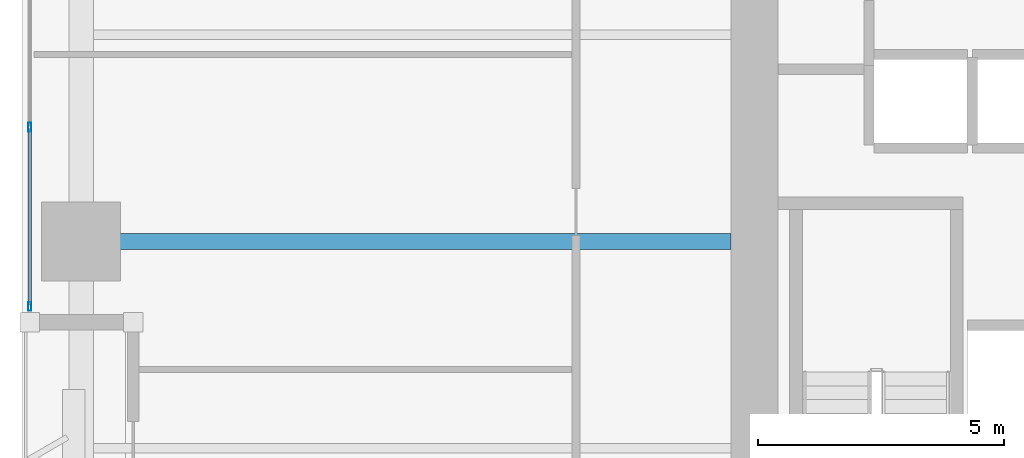
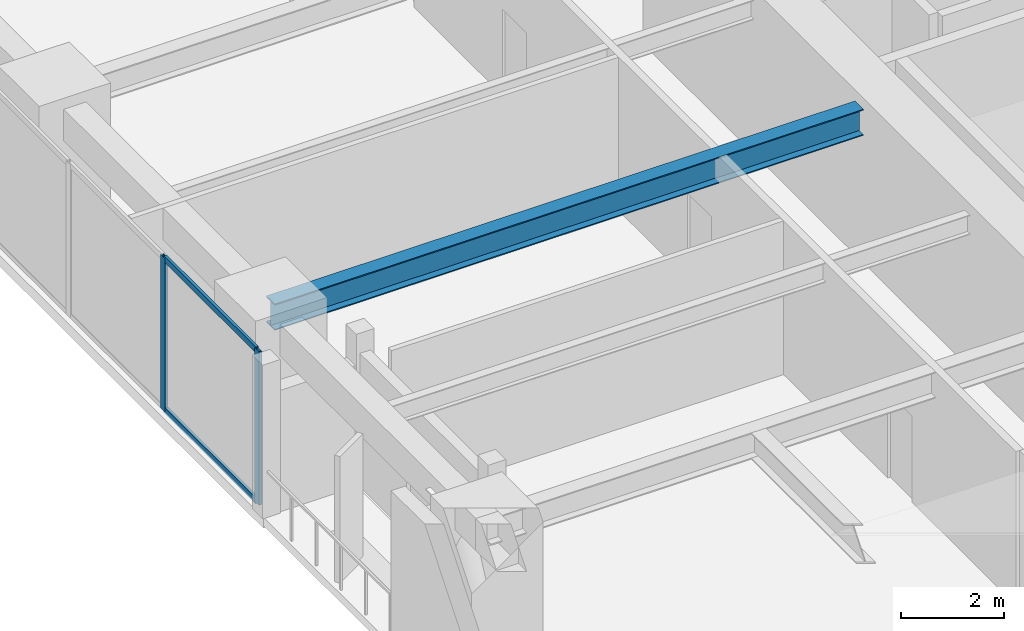
# One storey, part 2 of 24: 4 members, 1 beam, 1 element without a shape of its own.
"""IFC4 building model written with IfcOpenShell, lengths in metres."""

from ifc_helpers import new_model, si_unit, direction, frame, origin, origin_2d, place, context, subcontext, project, spatial, hollow_rectangle, i_section, extrude, material, layer, layer_set, material_profile, profile_set, type_object, element, aggregate, save


model = new_model("IFC4")

# Units and contexts
model_context = context("Model", 3, precision=1e-05, world=origin(), true_north=direction((0.0, 1.0)))
body_context = subcontext(model_context, "Body", "Model", "MODEL_VIEW")
ifc_project = project(units=[si_unit("LENGTHUNIT", "METRE"), si_unit("AREAUNIT", "SQUARE_METRE"), si_unit("VOLUMEUNIT", "CUBIC_METRE"), si_unit("PLANEANGLEUNIT", "RADIAN"), si_unit("MASSUNIT", "GRAM", prefix="KILO")], contexts=[model_context])

# Site, building, storey
site_placement = place(None, origin())
site = spatial("IfcSite", under=ifc_project, at=site_placement, CompositionType="ELEMENT")
building_placement = place(site_placement, origin())
building = spatial("IfcBuilding", under=site, at=building_placement, Name="Kiyonajd Concourse Tower", CompositionType="ELEMENT")
storey_placement = place(building_placement, frame((0.0, 0.0, 89.699951171875)))
storey = spatial("IfcBuildingStorey", under=building, at=storey_placement, Name="L23", CompositionType="ELEMENT", Elevation=89.699951171875)

# Beam
ifc_material_1 = material(Name="Steel ASTM A992 Grade 50", Category="steel")
ifc_material_profile_1 = material_profile(ifc_material_1, i_section(OverallWidth=0.326904296875, OverallDepth=0.6220703125, WebThickness=0.015380859375, FlangeThickness=0.0244140625, at=origin_2d()), Name="W610X195")
ifc_profile_set_1 = profile_set([ifc_material_profile_1], Name="Steel ASTM A992 Grade 50")
beam_type = type_object("IfcBeamType", Name="BM-TWR-610A", PredefinedType="BEAM", material=ifc_profile_set_1)
beam_placement = place(storey_placement, frame((19.199951171875, 36.0, 3.3291015625), z_axis=(1.0, 0.0, 0.0), x_axis=(0.0, 1.0, 0.0)))
element("IfcBeam", 1, at=beam_placement, inside=storey, type_object=beam_type, Name="L23 West Lease Girder", PredefinedType="BEAM", context=body_context, shape_type="SweptSolid", body=[
    extrude(i_section(OverallWidth=0.326904296875, OverallDepth=0.6220703125, WebThickness=0.015380859375, FlangeThickness=0.0244140625, at=origin_2d()), origin(), (0.0, 0.0, 1.0), 13.199951171875),
])

# Curtain wall, members
ifc_material_2 = material(Name="Thermally Broken Anodised Aluminium", Category="aluminium")
ifc_layer = layer(ifc_material_2, 0.179931640625)
ifc_layer_set = layer_set([ifc_layer], Name="Thermally Broken Anodised Aluminium")
curtain_wall_type = type_object("IfcCurtainWallType", Name="CW-SYS-03", PredefinedType="NOTDEFINED", material=ifc_layer_set)
curtain_wall_placement = place(storey_placement, origin())
curtain_wall = element("IfcCurtainWall", 2, at=curtain_wall_placement, inside=storey, type_object=curtain_wall_type, Name="L23 Unitised Curtain Wall CW3", PredefinedType="NOTDEFINED")
ifc_material_profile_2 = material_profile(ifc_material_2, hollow_rectangle(XDim=0.06494140625, YDim=0.179931640625, WallThickness=0.00390625, at=origin_2d()), Name="MULL-65x180")
ifc_profile_set_2 = profile_set([ifc_material_profile_2], Name="Thermally Broken Anodised Aluminium")
member_type_1 = type_object("IfcMemberType", Name="MB-CW-MULL1", PredefinedType="MULLION", material=ifc_profile_set_2)
member_1_placement = place(storey_placement, frame((18.159912109375, 34.6826171875, 0.0), z_axis=(0.0, 0.0, 1.0), x_axis=(-1.0, 0.0, 0.0)))
member_1 = element("IfcMember", 3, at=member_1_placement, type_object=member_type_1, Name="CW3 mullion 1", PredefinedType="MULLION", context=body_context, shape_type="SweptSolid", body=[
    extrude(hollow_rectangle(XDim=0.06494140625, YDim=0.179931640625, WallThickness=0.00390625, at=origin_2d()), origin(), (0.0, 0.0, 1.0), 3.64013671875),
])
member_2_placement = place(storey_placement, frame((18.159912109375, 38.3232421875, 0.0), z_axis=(0.0, 0.0, 1.0), x_axis=(-1.0, 0.0, 0.0)))
member_2 = element("IfcMember", 4, at=member_2_placement, type_object=member_type_1, Name="CW3 mullion 2", PredefinedType="MULLION", context=body_context, shape_type="SweptSolid", body=[
    extrude(hollow_rectangle(XDim=0.06494140625, YDim=0.179931640625, WallThickness=0.00390625, at=origin_2d()), origin(), (0.0, 0.0, 1.0), 3.64013671875),
])
ifc_material_profile_3 = material_profile(ifc_material_2, hollow_rectangle(XDim=0.06494140625, YDim=0.139892578125, WallThickness=0.00390625, at=origin_2d()), Name="TRAN-65x140")
ifc_profile_set_3 = profile_set([ifc_material_profile_3], Name="Thermally Broken Anodised Aluminium")
member_type_2 = type_object("IfcMemberType", Name="MB-CW-TRAN1", PredefinedType="USERDEFINED", material=ifc_profile_set_3)
member_3_placement = place(storey_placement, frame((18.159912109375, 34.715087890625, 0.032470703125), z_axis=(0.0, 1.0, 0.0), x_axis=(-1.0, 0.0, 0.0)))
member_3 = element("IfcMember", 5, at=member_3_placement, type_object=member_type_2, Name="CW3 transom 1.1", ObjectType="TRANSOM", PredefinedType="USERDEFINED", context=body_context, shape_type="SweptSolid", body=[
    extrude(hollow_rectangle(XDim=0.06494140625, YDim=0.139892578125, WallThickness=0.00390625, at=origin_2d()), origin(), (0.0, 0.0, 1.0), 3.57568359375),
])
member_4_placement = place(storey_placement, frame((18.159912109375, 34.715087890625, 3.607666015625), z_axis=(0.0, 1.0, 0.0), x_axis=(-1.0, 0.0, 0.0)))
member_4 = element("IfcMember", 6, at=member_4_placement, type_object=member_type_2, Name="CW3 transom 1.2", ObjectType="TRANSOM", PredefinedType="USERDEFINED", context=body_context, shape_type="SweptSolid", body=[
    extrude(hollow_rectangle(XDim=0.06494140625, YDim=0.139892578125, WallThickness=0.00390625, at=origin_2d()), origin(), (0.0, 0.0, 1.0), 3.57568359375),
])
aggregate(curtain_wall, [member_1, member_2, member_3, member_4])

save(model, "model.ifc")
